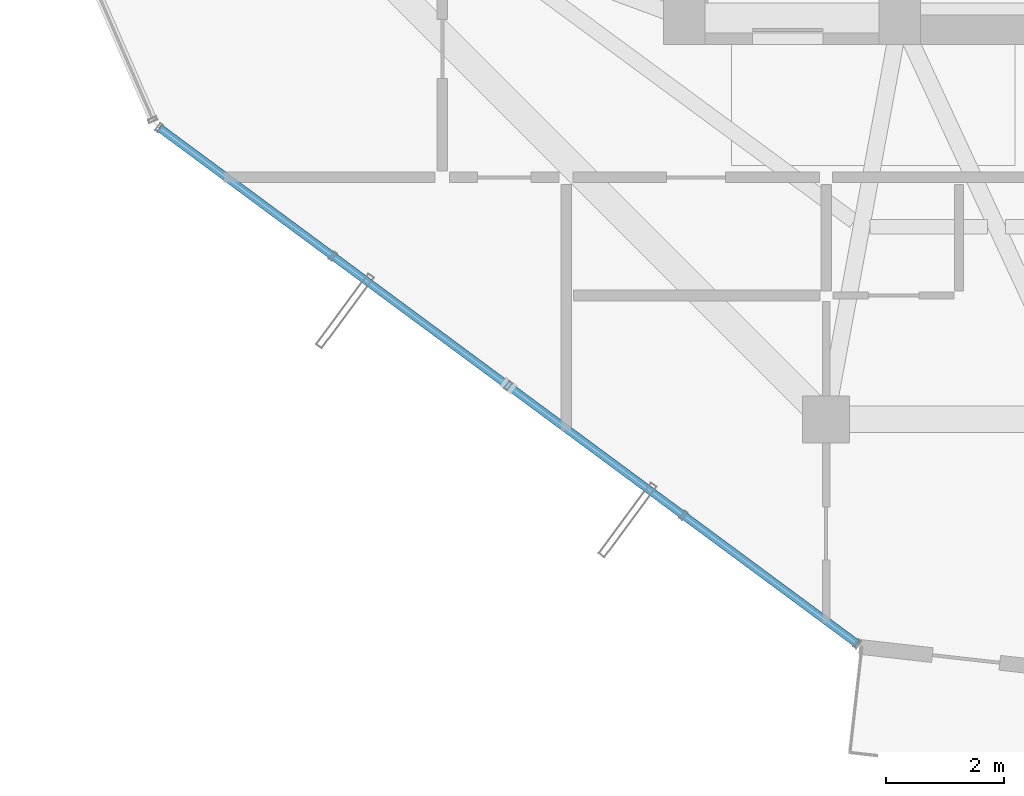
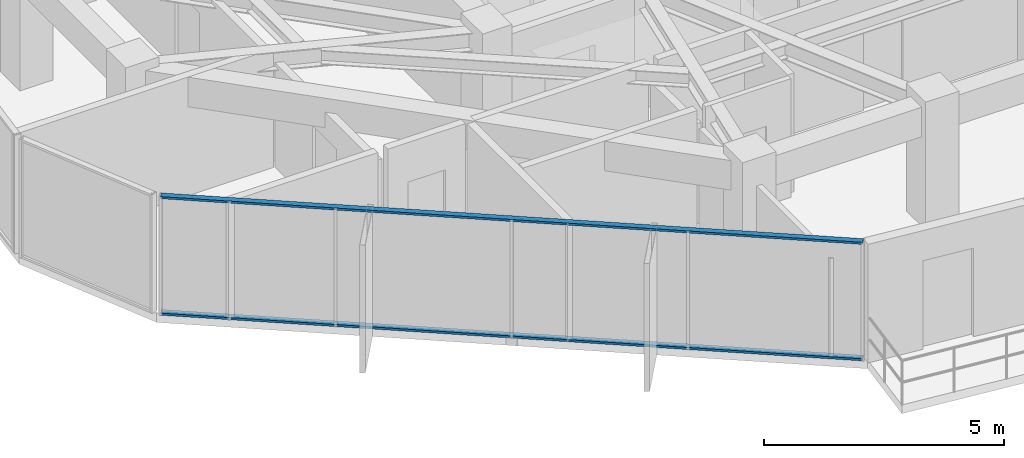
# One storey, part 3 of 30: 2 members, 1 element without a shape of its own.
"""IFC4 building model written with IfcOpenShell, lengths in metres."""

import ifcopenshell
import ifcopenshell.guid

model = None  # the IFC model being written
_history = None  # IfcOwnerHistory: only IFC2X3 demands one
_inside = {}  # id of a spatial element -> (the spatial element, [elements in it])
_under = {}  # id of a project, library or spatial element -> (it, [spatial elements below it])
_declared = {}  # id of a project -> (the project, [libraries it declares])
_typed = {}  # id of a type object -> (the type object, [elements of that type])
_made_of = {}  # id of a material, layer set ... -> (it, [elements and type objects made of it])


def new_model(schema):
    """Start an empty IFC model of exactly this schema.

    Asked for "IFC4X3", IfcOpenShell would pick the latest addendum, in which some entities
    have other attributes; the version numbers below select the first issue.
    IFC2X3 requires an IfcOwnerHistory on every rooted entity: one is made here for all.
    """
    global model, _history
    if schema == "IFC4X3":
        model = ifcopenshell.file(schema_version=(4, 3, 0, 0))
    else:
        model = ifcopenshell.file(schema=schema)
    _inside.clear()
    _under.clear()
    _declared.clear()
    _typed.clear()
    _made_of.clear()
    _history = None
    if model.schema == "IFC2X3":
        org = make("IfcOrganization", Name="unknown")
        user = make(
            "IfcPersonAndOrganization",
            ThePerson=make("IfcPerson", FamilyName="unknown"),
            TheOrganization=org,
        )
        app = make(
            "IfcApplication",
            ApplicationDeveloper=org,
            Version="unknown",
            ApplicationFullName="unknown",
            ApplicationIdentifier="unknown",
        )
        _history = make(
            "IfcOwnerHistory",
            OwningUser=user,
            OwningApplication=app,
            ChangeAction="ADDED",
            CreationDate=0,
        )
    return model


def make(cls, **values):
    """One entity of the class cls with the attributes given. An attribute that is None is left unset."""
    return model.create_entity(
        cls, **{name: value for name, value in values.items() if value is not None}
    )


def rooted(cls, **values):
    """An entity with a GlobalId (a new one), such as an element, a storey or a relation."""
    return make(cls, GlobalId=ifcopenshell.guid.new(), OwnerHistory=_history, **values)


def si_unit(unit_type, name, prefix=None):
    """IfcSIUnit, for example si_unit("LENGTHUNIT", "METRE", prefix="MILLI")."""
    return make("IfcSIUnit", UnitType=unit_type, Prefix=prefix, Name=name)


def assignment(units):
    """IfcUnitAssignment: the units of a project."""
    return None if units is None else make("IfcUnitAssignment", Units=units)


def point(xyz):
    """IfcCartesianPoint."""
    return None if xyz is None else make("IfcCartesianPoint", Coordinates=xyz)


def direction(xyz):
    """IfcDirection."""
    return None if xyz is None else make("IfcDirection", DirectionRatios=xyz)


def frame(location, z_axis=None, x_axis=None):
    """IfcAxis2Placement3D, a coordinate frame: its origin and axes. An axis left out is left unset."""
    return make(
        "IfcAxis2Placement3D",
        Location=point(location),
        Axis=direction(z_axis),
        RefDirection=direction(x_axis),
    )


def frame_2d(location, x_axis=None):
    """IfcAxis2Placement2D, a coordinate frame in the plane: its origin and x axis."""
    return make(
        "IfcAxis2Placement2D", Location=point(location), RefDirection=direction(x_axis)
    )


def origin():
    """The frame at (0, 0, 0) with its axes left unset."""
    return frame((0.0, 0.0, 0.0))


def origin_2d():
    """The frame at (0, 0) in the plane with its x axis left unset."""
    return frame_2d((0.0, 0.0))


def place(relative_to, where):
    """IfcLocalPlacement: puts the frame where relative to a parent placement (None: the world)."""
    return make(
        "IfcLocalPlacement", PlacementRelTo=relative_to, RelativePlacement=where
    )


def context(
    kind, dimensions, precision=None, world=None, true_north=None, identifier=None
):
    """IfcGeometricRepresentationContext, for example the 3D "Model" context."""
    return make(
        "IfcGeometricRepresentationContext",
        ContextIdentifier=identifier,
        ContextType=kind,
        CoordinateSpaceDimension=dimensions,
        Precision=precision,
        WorldCoordinateSystem=world,
        TrueNorth=true_north,
    )


def subcontext(parent, identifier, kind, view, scale=None):
    """IfcGeometricRepresentationSubContext, for example "Body" below "Model"."""
    return make(
        "IfcGeometricRepresentationSubContext",
        ContextIdentifier=identifier,
        ContextType=kind,
        ParentContext=parent,
        TargetScale=scale,
        TargetView=view,
    )


def project(units=None, contexts=None):
    """IfcProject with its units and contexts."""
    return rooted(
        "IfcProject",
        Name="project",
        RepresentationContexts=contexts,
        UnitsInContext=assignment(units),
    )


def spatial(cls, under=None, at=None, **own):
    """A site, building, storey or space (cls), placed at a placement, below another one or the project."""
    s = rooted(cls, ObjectPlacement=at, **own)
    if under is not None:
        _under.setdefault(under.id(), (under, []))[1].append(s)
    return s


def profile(cls, at=None, kind="AREA", **sizes):
    """A parametric profile (cls). Its sizes go by their IFC names, for example OverallWidth=200.0."""
    return make(cls, ProfileType=kind, Position=at, **sizes)


def hollow_rectangle(**sizes):
    """IfcRectangleHollowProfileDef."""
    return profile("IfcRectangleHollowProfileDef", **sizes)


def extrude(swept, where, along, depth):
    """IfcExtrudedAreaSolid: the profile swept, set in the frame where, extruded along a direction by depth."""
    return make(
        "IfcExtrudedAreaSolid",
        SweptArea=swept,
        Position=where,
        ExtrudedDirection=direction(along),
        Depth=depth,
    )


def shape(context_of_items, identifier, shape_type, items):
    """IfcShapeRepresentation: the items that make up one representation, for example the "Body"."""
    return make(
        "IfcShapeRepresentation",
        ContextOfItems=context_of_items,
        RepresentationIdentifier=identifier,
        RepresentationType=shape_type,
        Items=items,
    )


def source(mapping_origin, context_of_items, identifier, shape_type, items):
    """IfcRepresentationMap: a shape defined once, which mapped items show again and again."""
    return make(
        "IfcRepresentationMap",
        MappingOrigin=mapping_origin,
        MappedRepresentation=shape(context_of_items, identifier, shape_type, items),
    )


def transform(
    local_origin,
    x_axis=None,
    y_axis=None,
    z_axis=None,
    scale=None,
    scale2=None,
    scale3=None,
    uniform=True,
):
    """IfcCartesianTransformationOperator3D, or its non-uniform kind. x_axis, y_axis, z_axis: its Axis1, 2, 3."""
    if uniform:
        return make(
            "IfcCartesianTransformationOperator3D",
            Axis1=direction(x_axis),
            Axis2=direction(y_axis),
            LocalOrigin=point(local_origin),
            Scale=scale,
            Axis3=direction(z_axis),
        )
    return make(
        "IfcCartesianTransformationOperator3DnonUniform",
        Axis1=direction(x_axis),
        Axis2=direction(y_axis),
        LocalOrigin=point(local_origin),
        Scale=scale,
        Axis3=direction(z_axis),
        Scale2=scale2,
        Scale3=scale3,
    )


def mapped(mapping_source, mapping_target):
    """IfcMappedItem: shows the shape of a source again, moved by a transform."""
    return make(
        "IfcMappedItem", MappingSource=mapping_source, MappingTarget=mapping_target
    )


def material(Name=None, Category=None):
    """IfcMaterial."""
    return make("IfcMaterial", Name=Name, Category=Category)


def layer(
    of_material, thickness, ventilated=None, Name=None, Category=None, Priority=None
):
    """IfcMaterialLayer: one layer of a wall or slab, of a material (None: an air gap)."""
    return make(
        "IfcMaterialLayer",
        Material=of_material,
        LayerThickness=thickness,
        IsVentilated=ventilated,
        Name=Name,
        Category=Category,
        Priority=Priority,
    )


def layer_set(layers, Name=None):
    """IfcMaterialLayerSet."""
    return make("IfcMaterialLayerSet", MaterialLayers=layers, LayerSetName=Name)


def material_profile(
    of_material, cross_section, Name=None, Category=None, Priority=None
):
    """IfcMaterialProfile: a cross section and its material."""
    return make(
        "IfcMaterialProfile",
        Name=Name,
        Material=of_material,
        Profile=cross_section,
        Priority=Priority,
        Category=Category,
    )


def profile_set(profiles, Name=None, composite=None):
    """IfcMaterialProfileSet."""
    return make(
        "IfcMaterialProfileSet",
        Name=Name,
        MaterialProfiles=profiles,
        CompositeProfile=composite,
    )


def made_of(thing, what):
    """Note that an element or type object is made of a material, layer set ...; save() writes the relation."""
    if what is not None:
        _made_of.setdefault(what.id(), (what, []))[1].append(thing)
    return thing


def type_object(cls, material=None, **own):
    """A type object (cls), such as IfcWallType, which elements share."""
    return made_of(rooted(cls, **own), material)


def element(
    cls,
    number,
    at=None,
    inside=None,
    cuts=None,
    type_object=None,
    material=None,
    context=None,
    identifier="Body",
    shape_type=None,
    held_by="IfcProductDefinitionShape",
    body=None,
    shapes=None,
    **own,
):
    """One element of the class cls, such as IfcWall. Its Tag is "e" and its number.

    at: its placement. inside: the storey or other place that contains it. cuts: it is an
    opening in that element (IfcRelVoidsElement). A single representation is given by context,
    identifier, shape_type and body (its items); several are given by shapes. held_by: the class
    of the entity that holds the representations. save() writes the other relations.
    """
    e = rooted(cls, Tag="e%d" % number, ObjectPlacement=at, **own)
    if body is not None:
        shapes = [shape(context, identifier, shape_type, body)]
    if shapes is not None:
        e.Representation = make(held_by, Representations=shapes)
    if inside is not None:
        _inside.setdefault(inside.id(), (inside, []))[1].append(e)
    if cuts is not None:
        rooted(
            "IfcRelVoidsElement", RelatingBuildingElement=cuts, RelatedOpeningElement=e
        )
    if type_object is not None:
        _typed.setdefault(type_object.id(), (type_object, []))[1].append(e)
    return made_of(e, material)


def aggregate(whole, parts):
    """IfcRelAggregates: a whole, such as a stair, and the parts it consists of."""
    return rooted("IfcRelAggregates", RelatingObject=whole, RelatedObjects=parts)


def save(model, path):
    """Write the relations noted so far, then the file.

    IfcRelAggregates (storeys below a building ...), IfcRelContainedInSpatialStructure (elements
    in a storey), IfcRelDefinesByType, IfcRelAssociatesMaterial and IfcRelDeclares: one each for
    every whole, place, type object, material and project.
    """
    for whole, parts in _under.values():
        aggregate(whole, parts)
    for where, things in _inside.values():
        rooted(
            "IfcRelContainedInSpatialStructure",
            RelatedElements=things,
            RelatingStructure=where,
        )
    for kind, things in _typed.values():
        rooted("IfcRelDefinesByType", RelatedObjects=things, RelatingType=kind)
    for what, things in _made_of.values():
        rooted("IfcRelAssociatesMaterial", RelatedObjects=things, RelatingMaterial=what)
    for by, libraries in _declared.values():
        rooted("IfcRelDeclares", RelatingContext=by, RelatedDefinitions=libraries)
    model.write(path)


model = new_model("IFC4")

# Units and contexts
model_context = context("Model", 3, precision=1e-05, world=origin(), true_north=direction((0.0, 1.0)))
body_context = subcontext(model_context, "Body", "Model", "MODEL_VIEW")
ifc_project = project(units=[si_unit("LENGTHUNIT", "METRE"), si_unit("AREAUNIT", "SQUARE_METRE"), si_unit("VOLUMEUNIT", "CUBIC_METRE"), si_unit("PLANEANGLEUNIT", "RADIAN"), si_unit("MASSUNIT", "GRAM", prefix="KILO")], contexts=[model_context])

# Site, building, storey
site_placement = place(None, origin())
site = spatial("IfcSite", under=ifc_project, at=site_placement, CompositionType="ELEMENT")
building_placement = place(site_placement, origin())
building = spatial("IfcBuilding", under=site, at=building_placement, Name="Veraguas Prism Commons", CompositionType="ELEMENT")
storey_placement = place(building_placement, frame((0.0, 0.0, 230.050048828125)))
storey = spatial("IfcBuildingStorey", under=building, at=storey_placement, Name="L65", CompositionType="ELEMENT", Elevation=230.050048828125)

# Curtain wall, members
ifc_material = material(Name="Anodised aluminium EN AW-6063 T6", Category="aluminium")
ifc_layer = layer(ifc_material, 0.14990234375, Name="Unitised Flush Curtain Wall Zone 4", Category="aluminium")
ifc_layer_set = layer_set([ifc_layer], Name="Anodised aluminium EN AW-6063 T6")
curtain_wall_type = type_object("IfcCurtainWallType", Name="Unitised Flush Curtain Wall Zone 4", PredefinedType="NOTDEFINED", material=ifc_layer_set)
curtain_wall_placement = place(storey_placement, origin())
curtain_wall = element("IfcCurtainWall", 1, at=curtain_wall_placement, inside=storey, type_object=curtain_wall_type, Name="Tower Facade Curtain Wall L65-F4", PredefinedType="NOTDEFINED")
ifc_material_profile = material_profile(ifc_material, hollow_rectangle(XDim=0.054931640625, YDim=0.135009765625, WallThickness=0.0029296875, at=origin_2d()), Name="AL55X135X3")
ifc_profile_set = profile_set([ifc_material_profile], Name="Anodised aluminium EN AW-6063 T6")
member_type = type_object("IfcMemberType", Name="Curtain Wall Transom Standard AL 55x135x3", PredefinedType="USERDEFINED", material=ifc_profile_set)
shared_shape = source(origin(), body_context, "Body", "SweptSolid", [
    extrude(hollow_rectangle(XDim=0.054931640625, YDim=0.135009765625, WallThickness=0.0029296875, at=origin_2d()), origin(), (0.0, 0.0, 1.0), 14.70654296875),
])
member_1_placement = place(storey_placement, frame((8.3046875, 15.141357421875, 0.02734375), z_axis=(0.804063310042, -0.594543685059, 0.0), x_axis=(0.0, 0.0, 1.0)))
member_1 = element("IfcMember", 2, at=member_1_placement, type_object=member_type, Name="CW-Z4 Transom 1", ObjectType="TRANSOM", PredefinedType="USERDEFINED", context=body_context, shape_type="MappedRepresentation", body=[
    mapped(shared_shape, transform((0.0, 0.0, 0.0), scale=1.0)),
])
member_2_placement = place(storey_placement, frame((8.3046875, 15.141357421875, 2.987548828125), z_axis=(0.804063310042, -0.594543685059, 0.0), x_axis=(0.0, 0.0, 1.0)))
member_2 = element("IfcMember", 3, at=member_2_placement, type_object=member_type, Name="CW-Z4 Transom 2", ObjectType="TRANSOM", PredefinedType="USERDEFINED", context=body_context, shape_type="MappedRepresentation", body=[
    mapped(shared_shape, transform((0.0, 0.0, 0.0), scale=1.0)),
])
aggregate(curtain_wall, [member_1, member_2])

save(model, "model.ifc")
